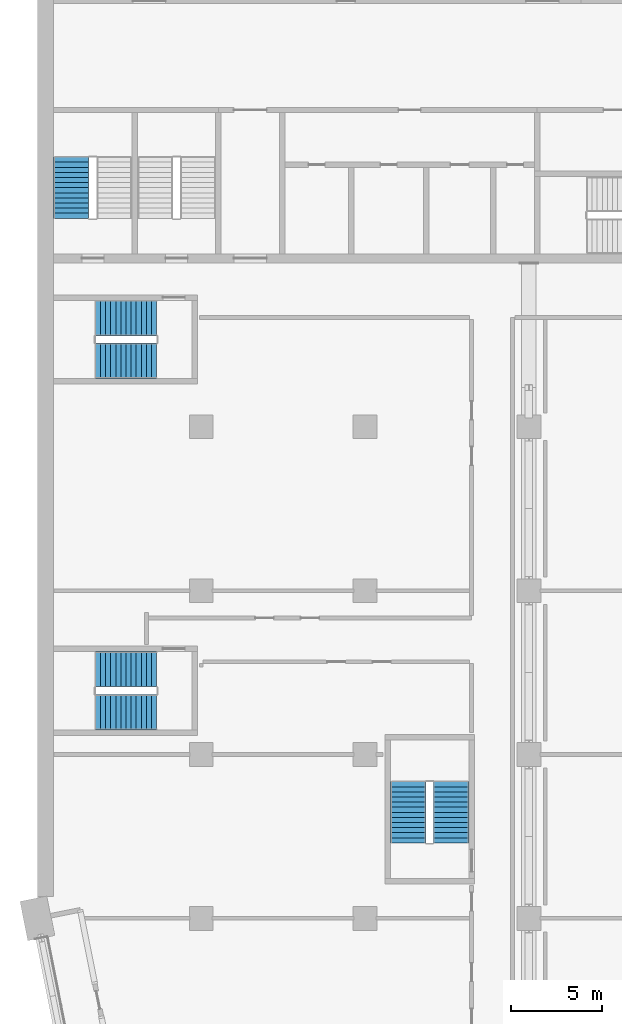
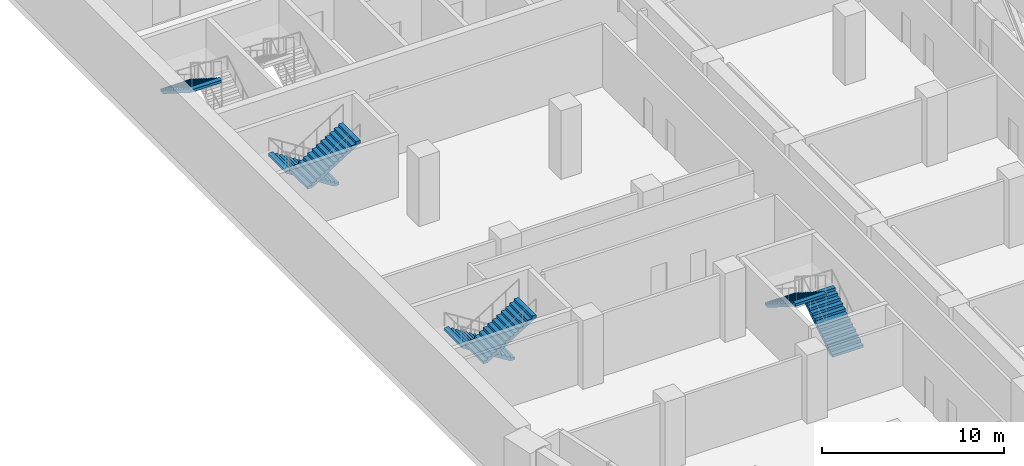
# One storey, part 13 of 22: 7 stair flights, 4 elements without a shape of their own.
"""IFC4 building model written with IfcOpenShell, lengths in metres."""

from ifc_helpers import new_model, si_unit, direction, frame, origin, place, context, subcontext, project, spatial, polyline, outline, extrude, material, type_object, element, aggregate, save


model = new_model("IFC4")

# Units and contexts
model_context = context("Model", 3, precision=1e-05, world=origin(), true_north=direction((0.0, 1.0)))
body_context = subcontext(model_context, "Body", "Model", "MODEL_VIEW")
ifc_project = project(units=[si_unit("LENGTHUNIT", "METRE"), si_unit("AREAUNIT", "SQUARE_METRE"), si_unit("VOLUMEUNIT", "CUBIC_METRE"), si_unit("PLANEANGLEUNIT", "RADIAN"), si_unit("MASSUNIT", "GRAM", prefix="KILO")], contexts=[model_context])

# Site, building, storey
site_placement = place(None, origin())
site = spatial("IfcSite", under=ifc_project, at=site_placement, CompositionType="ELEMENT")
building_placement = place(site_placement, origin())
building = spatial("IfcBuilding", under=site, at=building_placement, Name="Hunhe Ridgeline Campus", CompositionType="ELEMENT")
storey_placement = place(building_placement, frame((0.0, 0.0, 129.199951171875)))
storey = spatial("IfcBuildingStorey", under=building, at=storey_placement, Name="L32", CompositionType="ELEMENT", Elevation=129.199951171875)

# Stair, stair flight
ifc_material = material(Name="Concrete C40", Category="concrete")
stair_type = type_object("IfcStairType", Name="Reinforced concrete dog-leg stair 1950 Concrete C40", PredefinedType="HALF_TURN_STAIR", material=ifc_material)
stair_1_placement = place(storey_placement, origin())
stair_1 = element("IfcStair", 1, at=stair_1_placement, inside=storey, type_object=stair_type, Name="L32 S3", PredefinedType="HALF_TURN_STAIR")
stair_flight_type = type_object("IfcStairFlightType", Name="Reinforced concrete stair flight 1950 Concrete C40", PredefinedType="STRAIGHT", material=ifc_material)
stair_flight_1_placement = place(storey_placement, frame((1.875, 68.81005859375, 2.300048828125), z_axis=(0.0, 0.0, 1.0), x_axis=(0.0, -1.0, 0.0)))
stair_flight_1 = element("IfcStairFlight", 2, at=stair_flight_1_placement, type_object=stair_flight_type, Name="ST3 flight 2", NumberOfRisers=13, NumberOfTreads=12, PredefinedType="STRAIGHT", RiserHeight=0.176923077, TreadLength=0.28, context=body_context, shape_type="SweptSolid", body=[
    extrude(outline(polyline([(0.0, 0.0), (0.0, 0.177001953125), (0.280029296875, 0.177001953125), (0.280029296875, 0.353759765625), (0.56005859375, 0.353759765625), (0.56005859375, 0.53076171875), (0.840087890625, 0.53076171875), (0.840087890625, 0.707763671875), (1.1201171875, 0.707763671875), (1.1201171875, 0.884521484375), (1.39990234375, 0.884521484375), (1.39990234375, 1.0615234375), (1.679931640625, 1.0615234375), (1.679931640625, 1.238525390625), (1.9599609375, 1.238525390625), (1.9599609375, 1.415283203125), (2.239990234375, 1.415283203125), (2.239990234375, 1.59228515625), (2.52001953125, 1.59228515625), (2.52001953125, 1.769287109375), (2.800048828125, 1.769287109375), (2.800048828125, 1.946044921875), (3.080078125, 1.946044921875), (3.080078125, 2.123046875), (3.360107421875, 2.123046875), (3.360107421875, 2.300048828125), (3.360107421875, 1.94580078125), (0.280517578125, 0.0), (0.0, 0.0)])), frame((0.0, 0.97509765625, 0.0), z_axis=(0.0, -1.0, 0.0), x_axis=(1.0, 0.0, 0.0)), (0.0, 0.0, 1.0), 1.949951171875),
    extrude(outline(polyline([(0.030029296875, 0.030029296875), (0.030029296875, 0.14697265625), (0.31005859375, 0.14697265625), (0.31005859375, 0.32373046875), (0.590087890625, 0.32373046875), (0.590087890625, 0.500732421875), (0.8701171875, 0.500732421875), (0.8701171875, 0.677734375), (1.14990234375, 0.677734375), (1.14990234375, 0.8544921875), (1.429931640625, 0.8544921875), (1.429931640625, 1.031494140625), (1.7099609375, 1.031494140625), (1.7099609375, 1.20849609375), (1.989990234375, 1.20849609375), (1.989990234375, 1.385498046875), (2.27001953125, 1.385498046875), (2.27001953125, 1.562255859375), (2.550048828125, 1.562255859375), (2.550048828125, 1.7392578125), (2.830078125, 1.7392578125), (2.830078125, 1.916259765625), (3.110107421875, 1.916259765625), (3.110107421875, 2.093017578125), (3.330078125, 2.093017578125), (3.330078125, 1.96240234375), (0.27197265625, 0.030029296875), (0.030029296875, 0.030029296875)])), frame((0.0, -0.070068359375, 0.0), z_axis=(0.0, -1.0, 0.0), x_axis=(1.0, 0.0, 0.0)), (0.0, 0.0, 1.0), 0.019775390625),
    extrude(outline(polyline([(0.030029296875, 0.030029296875), (0.030029296875, 0.14697265625), (0.31005859375, 0.14697265625), (0.31005859375, 0.32373046875), (0.590087890625, 0.32373046875), (0.590087890625, 0.500732421875), (0.8701171875, 0.500732421875), (0.8701171875, 0.677734375), (1.14990234375, 0.677734375), (1.14990234375, 0.8544921875), (1.429931640625, 0.8544921875), (1.429931640625, 1.031494140625), (1.7099609375, 1.031494140625), (1.7099609375, 1.20849609375), (1.989990234375, 1.20849609375), (1.989990234375, 1.385498046875), (2.27001953125, 1.385498046875), (2.27001953125, 1.562255859375), (2.550048828125, 1.562255859375), (2.550048828125, 1.7392578125), (2.830078125, 1.7392578125), (2.830078125, 1.916259765625), (3.110107421875, 1.916259765625), (3.110107421875, 2.093017578125), (3.330078125, 2.093017578125), (3.330078125, 1.96240234375), (0.27197265625, 0.030029296875), (0.030029296875, 0.030029296875)])), frame((0.0, 0.010009765625, 0.0), z_axis=(0.0, -1.0, 0.0), x_axis=(1.0, 0.0, 0.0)), (0.0, 0.0, 1.0), 0.019775390625),
    extrude(outline(polyline([(0.030029296875, 0.030029296875), (0.030029296875, 0.14697265625), (0.31005859375, 0.14697265625), (0.31005859375, 0.32373046875), (0.590087890625, 0.32373046875), (0.590087890625, 0.500732421875), (0.8701171875, 0.500732421875), (0.8701171875, 0.677734375), (1.14990234375, 0.677734375), (1.14990234375, 0.8544921875), (1.429931640625, 0.8544921875), (1.429931640625, 1.031494140625), (1.7099609375, 1.031494140625), (1.7099609375, 1.20849609375), (1.989990234375, 1.20849609375), (1.989990234375, 1.385498046875), (2.27001953125, 1.385498046875), (2.27001953125, 1.562255859375), (2.550048828125, 1.562255859375), (2.550048828125, 1.7392578125), (2.830078125, 1.7392578125), (2.830078125, 1.916259765625), (3.110107421875, 1.916259765625), (3.110107421875, 2.093017578125), (3.330078125, 2.093017578125), (3.330078125, 1.96240234375), (0.27197265625, 0.030029296875), (0.030029296875, 0.030029296875)])), frame((0.0, 0.090087890625, 0.0), z_axis=(0.0, -1.0, 0.0), x_axis=(1.0, 0.0, 0.0)), (0.0, 0.0, 1.0), 0.019775390625),
])
aggregate(stair_1, [stair_flight_1])

# Stair, stair flights
stair_2_placement = place(storey_placement, origin())
stair_2 = element("IfcStair", 3, at=stair_2_placement, inside=storey, type_object=stair_type, Name="L32 W3", PredefinedType="HALF_TURN_STAIR")
stair_flight_2_placement = place(storey_placement, frame((22.72509765625, 31.14990234375, 0.0), z_axis=(0.0, 0.0, 1.0), x_axis=(0.0, 1.0, 0.0)))
stair_flight_2 = element("IfcStairFlight", 4, at=stair_flight_2_placement, type_object=stair_flight_type, Name="ST9 flight 1", NumberOfRisers=13, NumberOfTreads=12, PredefinedType="STRAIGHT", RiserHeight=0.176923077, TreadLength=0.28, context=body_context, shape_type="SweptSolid", body=[
    extrude(outline(polyline([(0.0, 0.0), (0.0, 0.177001953125), (0.280029296875, 0.177001953125), (0.280029296875, 0.353759765625), (0.56005859375, 0.353759765625), (0.56005859375, 0.53076171875), (0.840087890625, 0.53076171875), (0.840087890625, 0.707763671875), (1.1201171875, 0.707763671875), (1.1201171875, 0.884521484375), (1.39990234375, 0.884521484375), (1.39990234375, 1.0615234375), (1.679931640625, 1.0615234375), (1.679931640625, 1.238525390625), (1.9599609375, 1.238525390625), (1.9599609375, 1.415283203125), (2.239990234375, 1.415283203125), (2.239990234375, 1.59228515625), (2.52001953125, 1.59228515625), (2.52001953125, 1.769287109375), (2.800048828125, 1.769287109375), (2.800048828125, 1.946044921875), (3.080078125, 1.946044921875), (3.080078125, 2.123046875), (3.360107421875, 2.123046875), (3.360107421875, 2.300048828125), (3.360107421875, 1.94580078125), (0.280517578125, 0.0), (0.0, 0.0)])), frame((0.0, 0.97509765625, 0.0), z_axis=(0.0, -1.0, 0.0), x_axis=(1.0, 0.0, 0.0)), (0.0, 0.0, 1.0), 1.949951171875),
    extrude(outline(polyline([(0.030029296875, 0.030029296875), (0.030029296875, 0.14697265625), (0.31005859375, 0.14697265625), (0.31005859375, 0.32373046875), (0.590087890625, 0.32373046875), (0.590087890625, 0.500732421875), (0.8701171875, 0.500732421875), (0.8701171875, 0.677734375), (1.14990234375, 0.677734375), (1.14990234375, 0.8544921875), (1.429931640625, 0.8544921875), (1.429931640625, 1.031494140625), (1.7099609375, 1.031494140625), (1.7099609375, 1.20849609375), (1.989990234375, 1.20849609375), (1.989990234375, 1.385498046875), (2.27001953125, 1.385498046875), (2.27001953125, 1.562255859375), (2.550048828125, 1.562255859375), (2.550048828125, 1.7392578125), (2.830078125, 1.7392578125), (2.830078125, 1.916259765625), (3.110107421875, 1.916259765625), (3.110107421875, 2.093017578125), (3.330078125, 2.093017578125), (3.330078125, 1.96240234375), (0.27197265625, 0.030029296875), (0.030029296875, 0.030029296875)])), frame((0.0, -0.070068359375, 0.0), z_axis=(0.0, -1.0, 0.0), x_axis=(1.0, 0.0, 0.0)), (0.0, 0.0, 1.0), 0.019775390625),
    extrude(outline(polyline([(0.030029296875, 0.030029296875), (0.030029296875, 0.14697265625), (0.31005859375, 0.14697265625), (0.31005859375, 0.32373046875), (0.590087890625, 0.32373046875), (0.590087890625, 0.500732421875), (0.8701171875, 0.500732421875), (0.8701171875, 0.677734375), (1.14990234375, 0.677734375), (1.14990234375, 0.8544921875), (1.429931640625, 0.8544921875), (1.429931640625, 1.031494140625), (1.7099609375, 1.031494140625), (1.7099609375, 1.20849609375), (1.989990234375, 1.20849609375), (1.989990234375, 1.385498046875), (2.27001953125, 1.385498046875), (2.27001953125, 1.562255859375), (2.550048828125, 1.562255859375), (2.550048828125, 1.7392578125), (2.830078125, 1.7392578125), (2.830078125, 1.916259765625), (3.110107421875, 1.916259765625), (3.110107421875, 2.093017578125), (3.330078125, 2.093017578125), (3.330078125, 1.96240234375), (0.27197265625, 0.030029296875), (0.030029296875, 0.030029296875)])), frame((0.0, 0.010009765625, 0.0), z_axis=(0.0, -1.0, 0.0), x_axis=(1.0, 0.0, 0.0)), (0.0, 0.0, 1.0), 0.019775390625),
    extrude(outline(polyline([(0.030029296875, 0.030029296875), (0.030029296875, 0.14697265625), (0.31005859375, 0.14697265625), (0.31005859375, 0.32373046875), (0.590087890625, 0.32373046875), (0.590087890625, 0.500732421875), (0.8701171875, 0.500732421875), (0.8701171875, 0.677734375), (1.14990234375, 0.677734375), (1.14990234375, 0.8544921875), (1.429931640625, 0.8544921875), (1.429931640625, 1.031494140625), (1.7099609375, 1.031494140625), (1.7099609375, 1.20849609375), (1.989990234375, 1.20849609375), (1.989990234375, 1.385498046875), (2.27001953125, 1.385498046875), (2.27001953125, 1.562255859375), (2.550048828125, 1.562255859375), (2.550048828125, 1.7392578125), (2.830078125, 1.7392578125), (2.830078125, 1.916259765625), (3.110107421875, 1.916259765625), (3.110107421875, 2.093017578125), (3.330078125, 2.093017578125), (3.330078125, 1.96240234375), (0.27197265625, 0.030029296875), (0.030029296875, 0.030029296875)])), frame((0.0, 0.090087890625, 0.0), z_axis=(0.0, -1.0, 0.0), x_axis=(1.0, 0.0, 0.0)), (0.0, 0.0, 1.0), 0.019775390625),
])
stair_flight_3_placement = place(storey_placement, frame((20.375, 34.510009765625, 2.300048828125), z_axis=(0.0, 0.0, 1.0), x_axis=(0.0, -1.0, 0.0)))
stair_flight_3 = element("IfcStairFlight", 5, at=stair_flight_3_placement, type_object=stair_flight_type, Name="ST9 flight 2", NumberOfRisers=13, NumberOfTreads=12, PredefinedType="STRAIGHT", RiserHeight=0.176923077, TreadLength=0.28, context=body_context, shape_type="SweptSolid", body=[
    extrude(outline(polyline([(0.0, 0.0), (0.0, 0.177001953125), (0.280029296875, 0.177001953125), (0.280029296875, 0.353759765625), (0.56005859375, 0.353759765625), (0.56005859375, 0.53076171875), (0.840087890625, 0.53076171875), (0.840087890625, 0.707763671875), (1.1201171875, 0.707763671875), (1.1201171875, 0.884521484375), (1.39990234375, 0.884521484375), (1.39990234375, 1.0615234375), (1.679931640625, 1.0615234375), (1.679931640625, 1.238525390625), (1.9599609375, 1.238525390625), (1.9599609375, 1.415283203125), (2.239990234375, 1.415283203125), (2.239990234375, 1.59228515625), (2.52001953125, 1.59228515625), (2.52001953125, 1.769287109375), (2.800048828125, 1.769287109375), (2.800048828125, 1.946044921875), (3.080078125, 1.946044921875), (3.080078125, 2.123046875), (3.360107421875, 2.123046875), (3.360107421875, 2.300048828125), (3.360107421875, 1.94580078125), (0.280517578125, 0.0), (0.0, 0.0)])), frame((0.0, 0.97509765625, 0.0), z_axis=(0.0, -1.0, 0.0), x_axis=(1.0, 0.0, 0.0)), (0.0, 0.0, 1.0), 1.949951171875),
    extrude(outline(polyline([(0.030029296875, 0.030029296875), (0.030029296875, 0.14697265625), (0.31005859375, 0.14697265625), (0.31005859375, 0.32373046875), (0.590087890625, 0.32373046875), (0.590087890625, 0.500732421875), (0.8701171875, 0.500732421875), (0.8701171875, 0.677734375), (1.14990234375, 0.677734375), (1.14990234375, 0.8544921875), (1.429931640625, 0.8544921875), (1.429931640625, 1.031494140625), (1.7099609375, 1.031494140625), (1.7099609375, 1.20849609375), (1.989990234375, 1.20849609375), (1.989990234375, 1.385498046875), (2.27001953125, 1.385498046875), (2.27001953125, 1.562255859375), (2.550048828125, 1.562255859375), (2.550048828125, 1.7392578125), (2.830078125, 1.7392578125), (2.830078125, 1.916259765625), (3.110107421875, 1.916259765625), (3.110107421875, 2.093017578125), (3.330078125, 2.093017578125), (3.330078125, 1.96240234375), (0.27197265625, 0.030029296875), (0.030029296875, 0.030029296875)])), frame((0.0, -0.070068359375, 0.0), z_axis=(0.0, -1.0, 0.0), x_axis=(1.0, 0.0, 0.0)), (0.0, 0.0, 1.0), 0.019775390625),
    extrude(outline(polyline([(0.030029296875, 0.030029296875), (0.030029296875, 0.14697265625), (0.31005859375, 0.14697265625), (0.31005859375, 0.32373046875), (0.590087890625, 0.32373046875), (0.590087890625, 0.500732421875), (0.8701171875, 0.500732421875), (0.8701171875, 0.677734375), (1.14990234375, 0.677734375), (1.14990234375, 0.8544921875), (1.429931640625, 0.8544921875), (1.429931640625, 1.031494140625), (1.7099609375, 1.031494140625), (1.7099609375, 1.20849609375), (1.989990234375, 1.20849609375), (1.989990234375, 1.385498046875), (2.27001953125, 1.385498046875), (2.27001953125, 1.562255859375), (2.550048828125, 1.562255859375), (2.550048828125, 1.7392578125), (2.830078125, 1.7392578125), (2.830078125, 1.916259765625), (3.110107421875, 1.916259765625), (3.110107421875, 2.093017578125), (3.330078125, 2.093017578125), (3.330078125, 1.96240234375), (0.27197265625, 0.030029296875), (0.030029296875, 0.030029296875)])), frame((0.0, 0.010009765625, 0.0), z_axis=(0.0, -1.0, 0.0), x_axis=(1.0, 0.0, 0.0)), (0.0, 0.0, 1.0), 0.019775390625),
    extrude(outline(polyline([(0.030029296875, 0.030029296875), (0.030029296875, 0.14697265625), (0.31005859375, 0.14697265625), (0.31005859375, 0.32373046875), (0.590087890625, 0.32373046875), (0.590087890625, 0.500732421875), (0.8701171875, 0.500732421875), (0.8701171875, 0.677734375), (1.14990234375, 0.677734375), (1.14990234375, 0.8544921875), (1.429931640625, 0.8544921875), (1.429931640625, 1.031494140625), (1.7099609375, 1.031494140625), (1.7099609375, 1.20849609375), (1.989990234375, 1.20849609375), (1.989990234375, 1.385498046875), (2.27001953125, 1.385498046875), (2.27001953125, 1.562255859375), (2.550048828125, 1.562255859375), (2.550048828125, 1.7392578125), (2.830078125, 1.7392578125), (2.830078125, 1.916259765625), (3.110107421875, 1.916259765625), (3.110107421875, 2.093017578125), (3.330078125, 2.093017578125), (3.330078125, 1.96240234375), (0.27197265625, 0.030029296875), (0.030029296875, 0.030029296875)])), frame((0.0, 0.090087890625, 0.0), z_axis=(0.0, -1.0, 0.0), x_axis=(1.0, 0.0, 0.0)), (0.0, 0.0, 1.0), 0.019775390625),
])
aggregate(stair_2, [stair_flight_2, stair_flight_3])

stair_3_placement = place(storey_placement, origin())
stair_3 = element("IfcStair", 6, at=stair_3_placement, inside=storey, type_object=stair_type, Name="L32 W1", PredefinedType="HALF_TURN_STAIR")
stair_flight_4_placement = place(storey_placement, frame((6.550048828125, 40.675048828125, 0.0), z_axis=(0.0, 0.0, 1.0), x_axis=(-1.0, 0.0, 0.0)))
stair_flight_4 = element("IfcStairFlight", 7, at=stair_flight_4_placement, type_object=stair_flight_type, Name="ST11 flight 1", NumberOfRisers=13, NumberOfTreads=12, PredefinedType="STRAIGHT", RiserHeight=0.176923077, TreadLength=0.28, context=body_context, shape_type="SweptSolid", body=[
    extrude(outline(polyline([(0.0, 0.0), (0.0, 0.177001953125), (0.280029296875, 0.177001953125), (0.280029296875, 0.353759765625), (0.56005859375, 0.353759765625), (0.56005859375, 0.53076171875), (0.840087890625, 0.53076171875), (0.840087890625, 0.707763671875), (1.1201171875, 0.707763671875), (1.1201171875, 0.884521484375), (1.39990234375, 0.884521484375), (1.39990234375, 1.0615234375), (1.679931640625, 1.0615234375), (1.679931640625, 1.238525390625), (1.9599609375, 1.238525390625), (1.9599609375, 1.415283203125), (2.239990234375, 1.415283203125), (2.239990234375, 1.59228515625), (2.52001953125, 1.59228515625), (2.52001953125, 1.769287109375), (2.800048828125, 1.769287109375), (2.800048828125, 1.946044921875), (3.080078125, 1.946044921875), (3.080078125, 2.123046875), (3.360107421875, 2.123046875), (3.360107421875, 2.300048828125), (3.360107421875, 1.94580078125), (0.280517578125, 0.0), (0.0, 0.0)])), frame((0.0, 0.97509765625, 0.0), z_axis=(0.0, -1.0, 0.0), x_axis=(1.0, 0.0, 0.0)), (0.0, 0.0, 1.0), 1.949951171875),
    extrude(outline(polyline([(0.030029296875, 0.030029296875), (0.030029296875, 0.14697265625), (0.31005859375, 0.14697265625), (0.31005859375, 0.32373046875), (0.590087890625, 0.32373046875), (0.590087890625, 0.500732421875), (0.8701171875, 0.500732421875), (0.8701171875, 0.677734375), (1.14990234375, 0.677734375), (1.14990234375, 0.8544921875), (1.429931640625, 0.8544921875), (1.429931640625, 1.031494140625), (1.7099609375, 1.031494140625), (1.7099609375, 1.20849609375), (1.989990234375, 1.20849609375), (1.989990234375, 1.385498046875), (2.27001953125, 1.385498046875), (2.27001953125, 1.562255859375), (2.550048828125, 1.562255859375), (2.550048828125, 1.7392578125), (2.830078125, 1.7392578125), (2.830078125, 1.916259765625), (3.110107421875, 1.916259765625), (3.110107421875, 2.093017578125), (3.330078125, 2.093017578125), (3.330078125, 1.96240234375), (0.27197265625, 0.030029296875), (0.030029296875, 0.030029296875)])), frame((0.0, -0.070068359375, 0.0), z_axis=(0.0, -1.0, 0.0), x_axis=(1.0, 0.0, 0.0)), (0.0, 0.0, 1.0), 0.019775390625),
    extrude(outline(polyline([(0.030029296875, 0.030029296875), (0.030029296875, 0.14697265625), (0.31005859375, 0.14697265625), (0.31005859375, 0.32373046875), (0.590087890625, 0.32373046875), (0.590087890625, 0.500732421875), (0.8701171875, 0.500732421875), (0.8701171875, 0.677734375), (1.14990234375, 0.677734375), (1.14990234375, 0.8544921875), (1.429931640625, 0.8544921875), (1.429931640625, 1.031494140625), (1.7099609375, 1.031494140625), (1.7099609375, 1.20849609375), (1.989990234375, 1.20849609375), (1.989990234375, 1.385498046875), (2.27001953125, 1.385498046875), (2.27001953125, 1.562255859375), (2.550048828125, 1.562255859375), (2.550048828125, 1.7392578125), (2.830078125, 1.7392578125), (2.830078125, 1.916259765625), (3.110107421875, 1.916259765625), (3.110107421875, 2.093017578125), (3.330078125, 2.093017578125), (3.330078125, 1.96240234375), (0.27197265625, 0.030029296875), (0.030029296875, 0.030029296875)])), frame((0.0, 0.010009765625, 0.0), z_axis=(0.0, -1.0, 0.0), x_axis=(1.0, 0.0, 0.0)), (0.0, 0.0, 1.0), 0.019775390625),
    extrude(outline(polyline([(0.030029296875, 0.030029296875), (0.030029296875, 0.14697265625), (0.31005859375, 0.14697265625), (0.31005859375, 0.32373046875), (0.590087890625, 0.32373046875), (0.590087890625, 0.500732421875), (0.8701171875, 0.500732421875), (0.8701171875, 0.677734375), (1.14990234375, 0.677734375), (1.14990234375, 0.8544921875), (1.429931640625, 0.8544921875), (1.429931640625, 1.031494140625), (1.7099609375, 1.031494140625), (1.7099609375, 1.20849609375), (1.989990234375, 1.20849609375), (1.989990234375, 1.385498046875), (2.27001953125, 1.385498046875), (2.27001953125, 1.562255859375), (2.550048828125, 1.562255859375), (2.550048828125, 1.7392578125), (2.830078125, 1.7392578125), (2.830078125, 1.916259765625), (3.110107421875, 1.916259765625), (3.110107421875, 2.093017578125), (3.330078125, 2.093017578125), (3.330078125, 1.96240234375), (0.27197265625, 0.030029296875), (0.030029296875, 0.030029296875)])), frame((0.0, 0.090087890625, 0.0), z_axis=(0.0, -1.0, 0.0), x_axis=(1.0, 0.0, 0.0)), (0.0, 0.0, 1.0), 0.019775390625),
])
stair_flight_5_placement = place(storey_placement, frame((3.18994140625, 38.324951171875, 2.300048828125), z_axis=(0.0, 0.0, 1.0), x_axis=(1.0, 0.0, 0.0)))
stair_flight_5 = element("IfcStairFlight", 8, at=stair_flight_5_placement, type_object=stair_flight_type, Name="ST11 flight 2", NumberOfRisers=13, NumberOfTreads=12, PredefinedType="STRAIGHT", RiserHeight=0.176923077, TreadLength=0.28, context=body_context, shape_type="SweptSolid", body=[
    extrude(outline(polyline([(0.0, 0.0), (0.0, 0.177001953125), (0.280029296875, 0.177001953125), (0.280029296875, 0.353759765625), (0.56005859375, 0.353759765625), (0.56005859375, 0.53076171875), (0.840087890625, 0.53076171875), (0.840087890625, 0.707763671875), (1.1201171875, 0.707763671875), (1.1201171875, 0.884521484375), (1.39990234375, 0.884521484375), (1.39990234375, 1.0615234375), (1.679931640625, 1.0615234375), (1.679931640625, 1.238525390625), (1.9599609375, 1.238525390625), (1.9599609375, 1.415283203125), (2.239990234375, 1.415283203125), (2.239990234375, 1.59228515625), (2.52001953125, 1.59228515625), (2.52001953125, 1.769287109375), (2.800048828125, 1.769287109375), (2.800048828125, 1.946044921875), (3.080078125, 1.946044921875), (3.080078125, 2.123046875), (3.360107421875, 2.123046875), (3.360107421875, 2.300048828125), (3.360107421875, 1.94580078125), (0.280517578125, 0.0), (0.0, 0.0)])), frame((0.0, 0.97509765625, 0.0), z_axis=(0.0, -1.0, 0.0), x_axis=(1.0, 0.0, 0.0)), (0.0, 0.0, 1.0), 1.949951171875),
    extrude(outline(polyline([(0.030029296875, 0.030029296875), (0.030029296875, 0.14697265625), (0.31005859375, 0.14697265625), (0.31005859375, 0.32373046875), (0.590087890625, 0.32373046875), (0.590087890625, 0.500732421875), (0.8701171875, 0.500732421875), (0.8701171875, 0.677734375), (1.14990234375, 0.677734375), (1.14990234375, 0.8544921875), (1.429931640625, 0.8544921875), (1.429931640625, 1.031494140625), (1.7099609375, 1.031494140625), (1.7099609375, 1.20849609375), (1.989990234375, 1.20849609375), (1.989990234375, 1.385498046875), (2.27001953125, 1.385498046875), (2.27001953125, 1.562255859375), (2.550048828125, 1.562255859375), (2.550048828125, 1.7392578125), (2.830078125, 1.7392578125), (2.830078125, 1.916259765625), (3.110107421875, 1.916259765625), (3.110107421875, 2.093017578125), (3.330078125, 2.093017578125), (3.330078125, 1.96240234375), (0.27197265625, 0.030029296875), (0.030029296875, 0.030029296875)])), frame((0.0, -0.070068359375, 0.0), z_axis=(0.0, -1.0, 0.0), x_axis=(1.0, 0.0, 0.0)), (0.0, 0.0, 1.0), 0.019775390625),
    extrude(outline(polyline([(0.030029296875, 0.030029296875), (0.030029296875, 0.14697265625), (0.31005859375, 0.14697265625), (0.31005859375, 0.32373046875), (0.590087890625, 0.32373046875), (0.590087890625, 0.500732421875), (0.8701171875, 0.500732421875), (0.8701171875, 0.677734375), (1.14990234375, 0.677734375), (1.14990234375, 0.8544921875), (1.429931640625, 0.8544921875), (1.429931640625, 1.031494140625), (1.7099609375, 1.031494140625), (1.7099609375, 1.20849609375), (1.989990234375, 1.20849609375), (1.989990234375, 1.385498046875), (2.27001953125, 1.385498046875), (2.27001953125, 1.562255859375), (2.550048828125, 1.562255859375), (2.550048828125, 1.7392578125), (2.830078125, 1.7392578125), (2.830078125, 1.916259765625), (3.110107421875, 1.916259765625), (3.110107421875, 2.093017578125), (3.330078125, 2.093017578125), (3.330078125, 1.96240234375), (0.27197265625, 0.030029296875), (0.030029296875, 0.030029296875)])), frame((0.0, 0.010009765625, 0.0), z_axis=(0.0, -1.0, 0.0), x_axis=(1.0, 0.0, 0.0)), (0.0, 0.0, 1.0), 0.019775390625),
    extrude(outline(polyline([(0.030029296875, 0.030029296875), (0.030029296875, 0.14697265625), (0.31005859375, 0.14697265625), (0.31005859375, 0.32373046875), (0.590087890625, 0.32373046875), (0.590087890625, 0.500732421875), (0.8701171875, 0.500732421875), (0.8701171875, 0.677734375), (1.14990234375, 0.677734375), (1.14990234375, 0.8544921875), (1.429931640625, 0.8544921875), (1.429931640625, 1.031494140625), (1.7099609375, 1.031494140625), (1.7099609375, 1.20849609375), (1.989990234375, 1.20849609375), (1.989990234375, 1.385498046875), (2.27001953125, 1.385498046875), (2.27001953125, 1.562255859375), (2.550048828125, 1.562255859375), (2.550048828125, 1.7392578125), (2.830078125, 1.7392578125), (2.830078125, 1.916259765625), (3.110107421875, 1.916259765625), (3.110107421875, 2.093017578125), (3.330078125, 2.093017578125), (3.330078125, 1.96240234375), (0.27197265625, 0.030029296875), (0.030029296875, 0.030029296875)])), frame((0.0, 0.090087890625, 0.0), z_axis=(0.0, -1.0, 0.0), x_axis=(1.0, 0.0, 0.0)), (0.0, 0.0, 1.0), 0.019775390625),
])
aggregate(stair_3, [stair_flight_4, stair_flight_5])

stair_4_placement = place(storey_placement, origin())
stair_4 = element("IfcStair", 9, at=stair_4_placement, inside=storey, type_object=stair_type, Name="L32 W2", PredefinedType="HALF_TURN_STAIR")
stair_flight_6_placement = place(storey_placement, frame((6.550048828125, 59.97509765625, 0.0), z_axis=(0.0, 0.0, 1.0), x_axis=(-1.0, 0.0, 0.0)))
stair_flight_6 = element("IfcStairFlight", 10, at=stair_flight_6_placement, type_object=stair_flight_type, Name="ST12 flight 1", NumberOfRisers=13, NumberOfTreads=12, PredefinedType="STRAIGHT", RiserHeight=0.176923077, TreadLength=0.28, context=body_context, shape_type="SweptSolid", body=[
    extrude(outline(polyline([(0.0, 0.0), (0.0, 0.177001953125), (0.280029296875, 0.177001953125), (0.280029296875, 0.353759765625), (0.56005859375, 0.353759765625), (0.56005859375, 0.53076171875), (0.840087890625, 0.53076171875), (0.840087890625, 0.707763671875), (1.1201171875, 0.707763671875), (1.1201171875, 0.884521484375), (1.39990234375, 0.884521484375), (1.39990234375, 1.0615234375), (1.679931640625, 1.0615234375), (1.679931640625, 1.238525390625), (1.9599609375, 1.238525390625), (1.9599609375, 1.415283203125), (2.239990234375, 1.415283203125), (2.239990234375, 1.59228515625), (2.52001953125, 1.59228515625), (2.52001953125, 1.769287109375), (2.800048828125, 1.769287109375), (2.800048828125, 1.946044921875), (3.080078125, 1.946044921875), (3.080078125, 2.123046875), (3.360107421875, 2.123046875), (3.360107421875, 2.300048828125), (3.360107421875, 1.94580078125), (0.280517578125, 0.0), (0.0, 0.0)])), frame((0.0, 0.97509765625, 0.0), z_axis=(0.0, -1.0, 0.0), x_axis=(1.0, 0.0, 0.0)), (0.0, 0.0, 1.0), 1.949951171875),
    extrude(outline(polyline([(0.030029296875, 0.030029296875), (0.030029296875, 0.14697265625), (0.31005859375, 0.14697265625), (0.31005859375, 0.32373046875), (0.590087890625, 0.32373046875), (0.590087890625, 0.500732421875), (0.8701171875, 0.500732421875), (0.8701171875, 0.677734375), (1.14990234375, 0.677734375), (1.14990234375, 0.8544921875), (1.429931640625, 0.8544921875), (1.429931640625, 1.031494140625), (1.7099609375, 1.031494140625), (1.7099609375, 1.20849609375), (1.989990234375, 1.20849609375), (1.989990234375, 1.385498046875), (2.27001953125, 1.385498046875), (2.27001953125, 1.562255859375), (2.550048828125, 1.562255859375), (2.550048828125, 1.7392578125), (2.830078125, 1.7392578125), (2.830078125, 1.916259765625), (3.110107421875, 1.916259765625), (3.110107421875, 2.093017578125), (3.330078125, 2.093017578125), (3.330078125, 1.96240234375), (0.27197265625, 0.030029296875), (0.030029296875, 0.030029296875)])), frame((0.0, -0.070068359375, 0.0), z_axis=(0.0, -1.0, 0.0), x_axis=(1.0, 0.0, 0.0)), (0.0, 0.0, 1.0), 0.019775390625),
    extrude(outline(polyline([(0.030029296875, 0.030029296875), (0.030029296875, 0.14697265625), (0.31005859375, 0.14697265625), (0.31005859375, 0.32373046875), (0.590087890625, 0.32373046875), (0.590087890625, 0.500732421875), (0.8701171875, 0.500732421875), (0.8701171875, 0.677734375), (1.14990234375, 0.677734375), (1.14990234375, 0.8544921875), (1.429931640625, 0.8544921875), (1.429931640625, 1.031494140625), (1.7099609375, 1.031494140625), (1.7099609375, 1.20849609375), (1.989990234375, 1.20849609375), (1.989990234375, 1.385498046875), (2.27001953125, 1.385498046875), (2.27001953125, 1.562255859375), (2.550048828125, 1.562255859375), (2.550048828125, 1.7392578125), (2.830078125, 1.7392578125), (2.830078125, 1.916259765625), (3.110107421875, 1.916259765625), (3.110107421875, 2.093017578125), (3.330078125, 2.093017578125), (3.330078125, 1.96240234375), (0.27197265625, 0.030029296875), (0.030029296875, 0.030029296875)])), frame((0.0, 0.010009765625, 0.0), z_axis=(0.0, -1.0, 0.0), x_axis=(1.0, 0.0, 0.0)), (0.0, 0.0, 1.0), 0.019775390625),
    extrude(outline(polyline([(0.030029296875, 0.030029296875), (0.030029296875, 0.14697265625), (0.31005859375, 0.14697265625), (0.31005859375, 0.32373046875), (0.590087890625, 0.32373046875), (0.590087890625, 0.500732421875), (0.8701171875, 0.500732421875), (0.8701171875, 0.677734375), (1.14990234375, 0.677734375), (1.14990234375, 0.8544921875), (1.429931640625, 0.8544921875), (1.429931640625, 1.031494140625), (1.7099609375, 1.031494140625), (1.7099609375, 1.20849609375), (1.989990234375, 1.20849609375), (1.989990234375, 1.385498046875), (2.27001953125, 1.385498046875), (2.27001953125, 1.562255859375), (2.550048828125, 1.562255859375), (2.550048828125, 1.7392578125), (2.830078125, 1.7392578125), (2.830078125, 1.916259765625), (3.110107421875, 1.916259765625), (3.110107421875, 2.093017578125), (3.330078125, 2.093017578125), (3.330078125, 1.96240234375), (0.27197265625, 0.030029296875), (0.030029296875, 0.030029296875)])), frame((0.0, 0.090087890625, 0.0), z_axis=(0.0, -1.0, 0.0), x_axis=(1.0, 0.0, 0.0)), (0.0, 0.0, 1.0), 0.019775390625),
])
stair_flight_7_placement = place(storey_placement, frame((3.18994140625, 57.625, 2.300048828125), z_axis=(0.0, 0.0, 1.0), x_axis=(1.0, 0.0, 0.0)))
stair_flight_7 = element("IfcStairFlight", 11, at=stair_flight_7_placement, type_object=stair_flight_type, Name="ST12 flight 2", NumberOfRisers=13, NumberOfTreads=12, PredefinedType="STRAIGHT", RiserHeight=0.176923077, TreadLength=0.28, context=body_context, shape_type="SweptSolid", body=[
    extrude(outline(polyline([(0.0, 0.0), (0.0, 0.177001953125), (0.280029296875, 0.177001953125), (0.280029296875, 0.353759765625), (0.56005859375, 0.353759765625), (0.56005859375, 0.53076171875), (0.840087890625, 0.53076171875), (0.840087890625, 0.707763671875), (1.1201171875, 0.707763671875), (1.1201171875, 0.884521484375), (1.39990234375, 0.884521484375), (1.39990234375, 1.0615234375), (1.679931640625, 1.0615234375), (1.679931640625, 1.238525390625), (1.9599609375, 1.238525390625), (1.9599609375, 1.415283203125), (2.239990234375, 1.415283203125), (2.239990234375, 1.59228515625), (2.52001953125, 1.59228515625), (2.52001953125, 1.769287109375), (2.800048828125, 1.769287109375), (2.800048828125, 1.946044921875), (3.080078125, 1.946044921875), (3.080078125, 2.123046875), (3.360107421875, 2.123046875), (3.360107421875, 2.300048828125), (3.360107421875, 1.94580078125), (0.280517578125, 0.0), (0.0, 0.0)])), frame((0.0, 0.97509765625, 0.0), z_axis=(0.0, -1.0, 0.0), x_axis=(1.0, 0.0, 0.0)), (0.0, 0.0, 1.0), 1.949951171875),
    extrude(outline(polyline([(0.030029296875, 0.030029296875), (0.030029296875, 0.14697265625), (0.31005859375, 0.14697265625), (0.31005859375, 0.32373046875), (0.590087890625, 0.32373046875), (0.590087890625, 0.500732421875), (0.8701171875, 0.500732421875), (0.8701171875, 0.677734375), (1.14990234375, 0.677734375), (1.14990234375, 0.8544921875), (1.429931640625, 0.8544921875), (1.429931640625, 1.031494140625), (1.7099609375, 1.031494140625), (1.7099609375, 1.20849609375), (1.989990234375, 1.20849609375), (1.989990234375, 1.385498046875), (2.27001953125, 1.385498046875), (2.27001953125, 1.562255859375), (2.550048828125, 1.562255859375), (2.550048828125, 1.7392578125), (2.830078125, 1.7392578125), (2.830078125, 1.916259765625), (3.110107421875, 1.916259765625), (3.110107421875, 2.093017578125), (3.330078125, 2.093017578125), (3.330078125, 1.96240234375), (0.27197265625, 0.030029296875), (0.030029296875, 0.030029296875)])), frame((0.0, -0.070068359375, 0.0), z_axis=(0.0, -1.0, 0.0), x_axis=(1.0, 0.0, 0.0)), (0.0, 0.0, 1.0), 0.019775390625),
    extrude(outline(polyline([(0.030029296875, 0.030029296875), (0.030029296875, 0.14697265625), (0.31005859375, 0.14697265625), (0.31005859375, 0.32373046875), (0.590087890625, 0.32373046875), (0.590087890625, 0.500732421875), (0.8701171875, 0.500732421875), (0.8701171875, 0.677734375), (1.14990234375, 0.677734375), (1.14990234375, 0.8544921875), (1.429931640625, 0.8544921875), (1.429931640625, 1.031494140625), (1.7099609375, 1.031494140625), (1.7099609375, 1.20849609375), (1.989990234375, 1.20849609375), (1.989990234375, 1.385498046875), (2.27001953125, 1.385498046875), (2.27001953125, 1.562255859375), (2.550048828125, 1.562255859375), (2.550048828125, 1.7392578125), (2.830078125, 1.7392578125), (2.830078125, 1.916259765625), (3.110107421875, 1.916259765625), (3.110107421875, 2.093017578125), (3.330078125, 2.093017578125), (3.330078125, 1.96240234375), (0.27197265625, 0.030029296875), (0.030029296875, 0.030029296875)])), frame((0.0, 0.010009765625, 0.0), z_axis=(0.0, -1.0, 0.0), x_axis=(1.0, 0.0, 0.0)), (0.0, 0.0, 1.0), 0.019775390625),
    extrude(outline(polyline([(0.030029296875, 0.030029296875), (0.030029296875, 0.14697265625), (0.31005859375, 0.14697265625), (0.31005859375, 0.32373046875), (0.590087890625, 0.32373046875), (0.590087890625, 0.500732421875), (0.8701171875, 0.500732421875), (0.8701171875, 0.677734375), (1.14990234375, 0.677734375), (1.14990234375, 0.8544921875), (1.429931640625, 0.8544921875), (1.429931640625, 1.031494140625), (1.7099609375, 1.031494140625), (1.7099609375, 1.20849609375), (1.989990234375, 1.20849609375), (1.989990234375, 1.385498046875), (2.27001953125, 1.385498046875), (2.27001953125, 1.562255859375), (2.550048828125, 1.562255859375), (2.550048828125, 1.7392578125), (2.830078125, 1.7392578125), (2.830078125, 1.916259765625), (3.110107421875, 1.916259765625), (3.110107421875, 2.093017578125), (3.330078125, 2.093017578125), (3.330078125, 1.96240234375), (0.27197265625, 0.030029296875), (0.030029296875, 0.030029296875)])), frame((0.0, 0.090087890625, 0.0), z_axis=(0.0, -1.0, 0.0), x_axis=(1.0, 0.0, 0.0)), (0.0, 0.0, 1.0), 0.019775390625),
])
aggregate(stair_4, [stair_flight_6, stair_flight_7])

save(model, "model.ifc")
